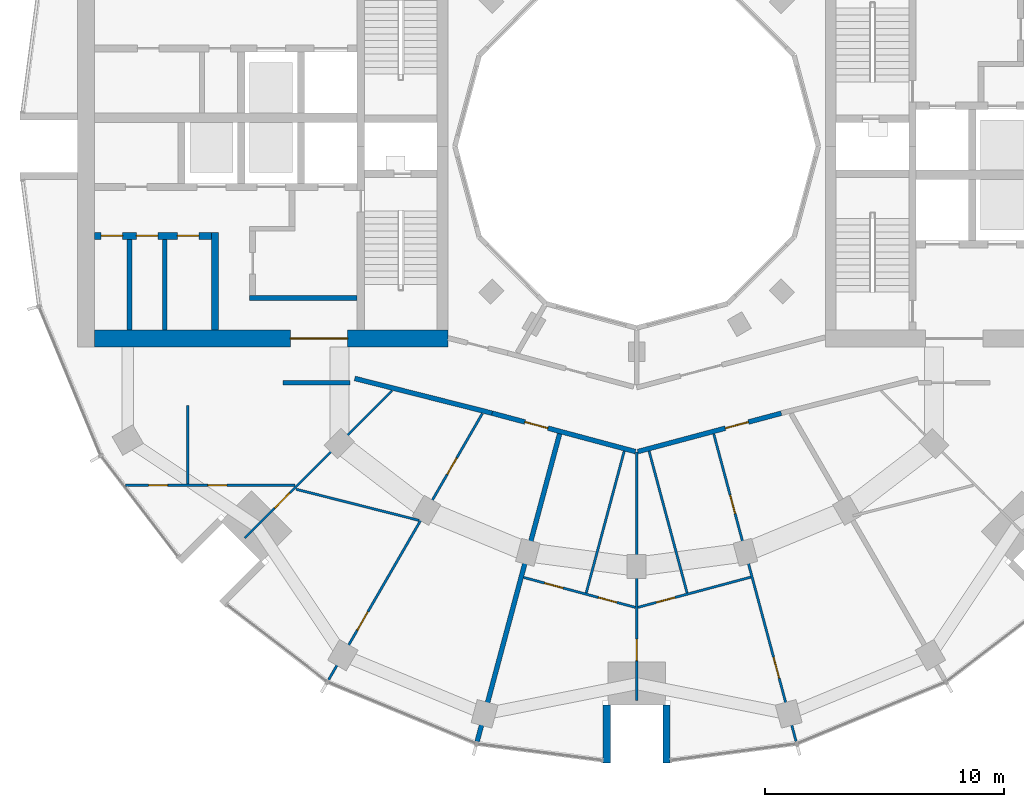
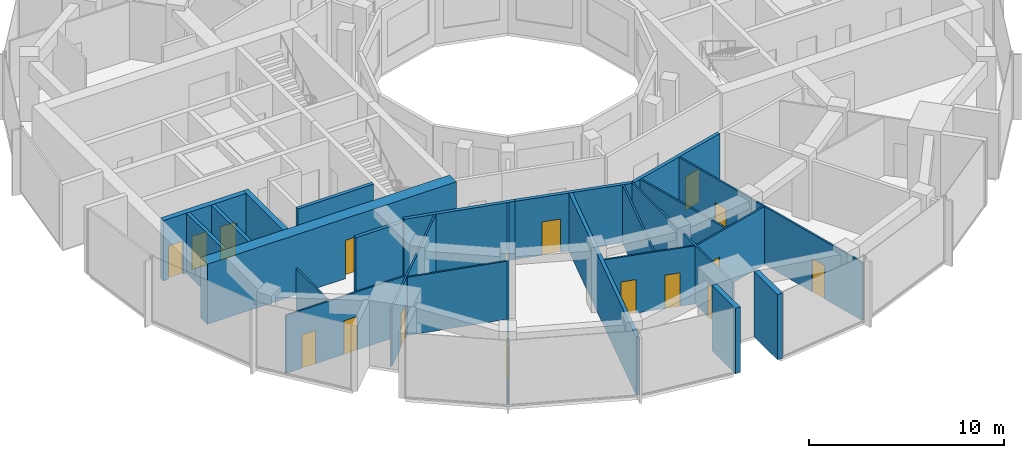
# One storey, part 8 of 15: 24 walls, 17 doors, 17 openings.
"""IFC4 building model written with IfcOpenShell, lengths in metres."""

from ifc_helpers import new_model, si_unit, direction, frame, frame_2d, origin, place, context, subcontext, project, spatial, rectangle, extrude, material, layer, layer_set, type_object, element, fill, save


model = new_model("IFC4")

# Units and contexts
model_context = context("Model", 3, precision=1e-05, world=origin(), true_north=direction((0.0, 1.0)))
body_context = subcontext(model_context, "Body", "Model", "MODEL_VIEW")
ifc_project = project(units=[si_unit("LENGTHUNIT", "METRE"), si_unit("AREAUNIT", "SQUARE_METRE"), si_unit("VOLUMEUNIT", "CUBIC_METRE"), si_unit("PLANEANGLEUNIT", "RADIAN"), si_unit("MASSUNIT", "GRAM", prefix="KILO")], contexts=[model_context])

# Site, building, storey
site_placement = place(None, origin())
site = spatial("IfcSite", under=ifc_project, at=site_placement, CompositionType="ELEMENT")
building_placement = place(site_placement, origin())
building = spatial("IfcBuilding", under=site, at=building_placement, Name="Torre Brocal", CompositionType="ELEMENT")
storey_placement = place(building_placement, frame((0.0, 0.0, 194.60009765625)))
storey = spatial("IfcBuildingStorey", under=building, at=storey_placement, Name="L45", CompositionType="ELEMENT", Elevation=194.60009765625)

# Walls
ifc_material_1 = material(Name="Masonry block", Category="masonry")
ifc_layer_1 = layer(ifc_material_1, 0.199951171875)
ifc_layer_set_1 = layer_set([ifc_layer_1], Name="Masonry block")
wall_type_1 = type_object("IfcWallType", Name="CORE PARTITION 200", PredefinedType="PARTITIONING", material=ifc_layer_set_1)
for number, where, z_axis, x_axis, name in (
    (1, (60.239990234375, 71.10009765625, 0.0), (0.0, 0.0, 1.0), (0.0, -1.0, 0.0), "Wall CP200"),
    (2, (58.77001953125, 71.10009765625, 0.0), (0.0, 0.0, 1.0), (0.0, -1.0, 0.0), "Wall CP200"),
):
    element("IfcWall", number, at=place(storey_placement, frame(where, z_axis=z_axis, x_axis=x_axis)), inside=storey, type_object=wall_type_1, Name=name, PredefinedType="PARTITIONING", context=body_context, shape_type="SweptSolid", body=[
        extrude(rectangle(XDim=3.800048828125, YDim=0.199951171875, at=frame_2d((1.89990234375, 0.0))), origin(), (0.0, 0.0, 1.0), 3.77978515625),
    ])
ifc_material_2 = material(Name="Concrete C70", Category="concrete")
ifc_layer_2 = layer(ifc_material_2, 0.199951171875)
ifc_layer_set_2 = layer_set([ifc_layer_2], Name="Concrete C70")
wall_type_2 = type_object("IfcWallType", Name="CORE WALL 200 C70", PredefinedType="SHEAR", material=ifc_layer_set_2)
wall_1_placement = place(storey_placement, frame((68.300048828125, 68.64990234375, 0.0), z_axis=(0.0, 0.0, 1.0), x_axis=(-1.0, 0.0, 0.0)))
element("IfcWall", 3, at=wall_1_placement, inside=storey, type_object=wall_type_2, Name="Wall CW200-70", PredefinedType="SHEAR", context=body_context, shape_type="SweptSolid", body=[
    extrude(rectangle(XDim=4.5, YDim=0.199951171875, at=frame_2d((2.25, 0.0))), origin(), (0.0, 0.0, 1.0), 3.77978515625),
])
ifc_material_3 = material(Name="Concrete C70", Category="concrete")
ifc_layer_3 = layer(ifc_material_3, 0.300048828125)
ifc_layer_set_3 = layer_set([ifc_layer_3], Name="Concrete C70")
wall_type_3 = type_object("IfcWallType", Name="CORE WALL 300 C70", PredefinedType="SHEAR", material=ifc_layer_set_3)
wall_2_placement = place(storey_placement, frame((62.35009765625, 71.39990234375, 0.0), z_axis=(0.0, 0.0, 1.0), x_axis=(0.0, -1.0, 0.0)))
element("IfcWall", 4, at=wall_2_placement, inside=storey, type_object=wall_type_3, Name="Wall CW300-70", PredefinedType="SHEAR", context=body_context, shape_type="SweptSolid", body=[
    extrude(rectangle(XDim=4.099853515625, YDim=0.300048828125, at=frame_2d((2.0498046875, 0.0))), origin(), (0.0, 0.0, 1.0), 3.77978515625),
])

# Wall, openings, doors
wall_3_placement = place(storey_placement, frame((62.199951171875, 71.25, 0.0), z_axis=(0.0, 0.0, 1.0), x_axis=(-1.0, 0.0, 0.0)))
wall_3 = element("IfcWall", 5, at=wall_3_placement, inside=storey, type_object=wall_type_3, Name="Wall CW300-70", PredefinedType="SHEAR", context=body_context, shape_type="SweptSolid", body=[
    extrude(rectangle(XDim=4.89990234375, YDim=0.300048828125, at=frame_2d((2.449951171875, 0.0))), origin(), (0.0, 0.0, 1.0), 3.77978515625),
])
opening_1_placement = place(wall_3_placement, frame((0.530029296875, 0.0, 0.0)))
opening_1 = element("IfcOpeningElement", 6, at=opening_1_placement, cuts=wall_3, Name="Opening W-D28", PredefinedType="OPENING", context=body_context, shape_type="SweptSolid", body=[
    extrude(rectangle(XDim=0.89990234375, YDim=2.10009765625, at=frame_2d((0.449951171875, 1.050048828125))), frame((0.0, 0.159912109375, 0.0), z_axis=(0.0, -1.0, 0.0), x_axis=(1.0, 0.0, 0.0)), (0.0, 0.0, 1.0), 0.320068359375),
])
opening_2_placement = place(wall_3_placement, frame((2.2451171875, 0.0, 0.0)))
opening_2 = element("IfcOpeningElement", 7, at=opening_2_placement, cuts=wall_3, Name="Opening W-D09", PredefinedType="OPENING", context=body_context, shape_type="SweptSolid", body=[
    extrude(rectangle(XDim=0.89990234375, YDim=2.10009765625, at=frame_2d((0.449951171875, 1.050048828125))), frame((0.0, 0.159912109375, 0.0), z_axis=(0.0, -1.0, 0.0), x_axis=(1.0, 0.0, 0.0)), (0.0, 0.0, 1.0), 0.320068359375),
])
opening_3_placement = place(wall_3_placement, frame((3.715087890625, 0.0, 0.0)))
opening_3 = element("IfcOpeningElement", 8, at=opening_3_placement, cuts=wall_3, Name="Opening W-D10", PredefinedType="OPENING", context=body_context, shape_type="SweptSolid", body=[
    extrude(rectangle(XDim=0.89990234375, YDim=2.10009765625, at=frame_2d((0.449951171875, 1.050048828125))), frame((0.0, 0.159912109375, 0.0), z_axis=(0.0, -1.0, 0.0), x_axis=(1.0, 0.0, 0.0)), (0.0, 0.0, 1.0), 0.320068359375),
])
ifc_material_4 = material(Name="Steel A653", Category="steel")
door_type_1 = type_object("IfcDoorType", Name="ROOM DOOR FD30S 900X2100", OperationType="SINGLE_SWING_LEFT", PredefinedType="DOOR", material=ifc_material_4)
door_1_placement = place(opening_1_placement, origin())
door_1 = element("IfcDoor", 9, at=door_1_placement, inside=storey, type_object=door_type_1, Name="Door W-D28", OperationType="SINGLE_SWING_RIGHT", OverallHeight=2.10009765625, OverallWidth=0.89990234375, PredefinedType="DOOR", context=body_context, shape_type="SweptSolid", body=[
    extrude(rectangle(XDim=0.89990234375, YDim=2.10009765625, at=frame_2d((0.449951171875, 1.050048828125))), frame((0.0, 0.02490234375, 0.0), z_axis=(0.0, -1.0, 0.0), x_axis=(1.0, 0.0, 0.0)), (0.0, 0.0, 1.0), 0.050048828125),
])
fill(opening_1, door_1)
door_2_placement = place(opening_2_placement, origin())
door_2 = element("IfcDoor", 10, at=door_2_placement, inside=storey, type_object=door_type_1, Name="Door W-D09", OperationType="SINGLE_SWING_LEFT", OverallHeight=2.10009765625, OverallWidth=0.89990234375, PredefinedType="DOOR", context=body_context, shape_type="SweptSolid", body=[
    extrude(rectangle(XDim=0.89990234375, YDim=2.10009765625, at=frame_2d((0.449951171875, 1.050048828125))), frame((0.0, 0.02490234375, 0.0), z_axis=(0.0, -1.0, 0.0), x_axis=(1.0, 0.0, 0.0)), (0.0, 0.0, 1.0), 0.050048828125),
])
fill(opening_2, door_2)
door_3_placement = place(opening_3_placement, origin())
door_3 = element("IfcDoor", 11, at=door_3_placement, inside=storey, type_object=door_type_1, Name="Door W-D10", OperationType="SINGLE_SWING_LEFT", OverallHeight=2.10009765625, OverallWidth=0.89990234375, PredefinedType="DOOR", context=body_context, shape_type="SweptSolid", body=[
    extrude(rectangle(XDim=0.89990234375, YDim=2.10009765625, at=frame_2d((0.449951171875, 1.050048828125))), frame((0.0, 0.02490234375, 0.0), z_axis=(0.0, -1.0, 0.0), x_axis=(1.0, 0.0, 0.0)), (0.0, 0.0, 1.0), 0.050048828125),
])
fill(opening_3, door_3)

# Wall, opening, door
ifc_material_5 = material(Name="Concrete C70", Category="concrete")
ifc_layer_4 = layer(ifc_material_5, 0.699951171875)
ifc_layer_set_4 = layer_set([ifc_layer_4], Name="Concrete C70")
wall_type_4 = type_object("IfcWallType", Name="CORE WALL 700 C70", PredefinedType="SHEAR", material=ifc_layer_set_4)
wall_4_placement = place(storey_placement, frame((72.10009765625, 66.949951171875, 0.0), z_axis=(0.0, 0.0, 1.0), x_axis=(-1.0, 0.0, 0.0)))
wall_4 = element("IfcWall", 12, at=wall_4_placement, inside=storey, type_object=wall_type_4, Name="Wall CW700-70", PredefinedType="SHEAR", context=body_context, shape_type="SweptSolid", body=[
    extrude(rectangle(XDim=14.800048828125, YDim=0.699951171875, at=frame_2d((7.39990234375, 0.0))), origin(), (0.0, 0.0, 1.0), 3.77978515625),
])
opening_4_placement = place(wall_4_placement, frame((4.199951171875, 0.0, 0.0)))
opening_4 = element("IfcOpeningElement", 13, at=opening_4_placement, cuts=wall_4, Name="Opening W-D34", PredefinedType="OPENING", context=body_context, shape_type="SweptSolid", body=[
    extrude(rectangle(XDim=2.39990234375, YDim=2.39990234375, at=frame_2d((1.199951171875, 1.199951171875))), frame((0.0, 0.35986328125, 0.0), z_axis=(0.0, -1.0, 0.0), x_axis=(1.0, 0.0, 0.0)), (0.0, 0.0, 1.0), 0.719970703125),
])
ifc_material_6 = material(Name="Steel A653", Category="steel")
door_type_2 = type_object("IfcDoorType", Name="DOUBLE FIRE DOOR FD90 2400X2400", OperationType="DOUBLE_DOOR_SINGLE_SWING", PredefinedType="DOOR", material=ifc_material_6)
door_4_placement = place(opening_4_placement, frame((2.39990234375, 0.0, 0.0), z_axis=(0.0, 0.0, 1.0), x_axis=(-1.0, 0.0, 0.0)))
door_4 = element("IfcDoor", 14, at=door_4_placement, inside=storey, type_object=door_type_2, Name="Door W-D34", OperationType="DOUBLE_DOOR_SINGLE_SWING", OverallHeight=2.39990234375, OverallWidth=2.39990234375, PredefinedType="DOOR", context=body_context, shape_type="SweptSolid", body=[
    extrude(rectangle(XDim=2.39990234375, YDim=2.39990234375, at=frame_2d((1.199951171875, 1.199951171875))), frame((0.0, 0.02490234375, 0.0), z_axis=(0.0, -1.0, 0.0), x_axis=(1.0, 0.0, 0.0)), (0.0, 0.0, 1.0), 0.050048828125),
])
fill(opening_4, door_4)

# Walls
ifc_material_7 = material(Name="Concrete C70", Category="concrete")
ifc_layer_5 = layer(ifc_material_7, 0.300048828125)
ifc_layer_set_5 = layer_set([ifc_layer_5], Name="Concrete C70")
wall_type_5 = type_object("IfcWallType", Name="NOTCH RETURN WALL 300 C70", PredefinedType="NOTDEFINED", material=ifc_layer_set_5)
for number, where, z_axis, x_axis, name in (
    (15, (78.75, 51.60009765625, 0.0), (0.0, 0.0, 1.0), (0.0, -1.0, 0.0), "NOTCH RETURN WALL"),
    (16, (81.25, 51.60009765625, 0.0), (0.0, 0.0, 1.0), (0.0, -1.0, 0.0), "NOTCH RETURN WALL"),
):
    element("IfcWall", number, at=place(storey_placement, frame(where, z_axis=z_axis, x_axis=x_axis)), inside=storey, type_object=wall_type_5, Name=name, PredefinedType="NOTDEFINED", context=body_context, shape_type="SweptSolid", body=[
        extrude(rectangle(XDim=2.415771484375, YDim=0.300048828125, at=frame_2d((1.2080078125, 0.0))), origin(), (0.0, 0.0, 1.0), 4.099853515625),
    ])

# Wall, openings, doors
ifc_material_8 = material(Name="Gypsum board", Category="Gypsum")
ifc_layer_6 = layer(ifc_material_8, 0.10009765625)
ifc_layer_set_6 = layer_set([ifc_layer_6], Name="Gypsum board")
wall_type_6 = type_object("IfcWallType", Name="PARTITION 100", PredefinedType="PARTITIONING", material=ifc_layer_set_6)
wall_5_placement = place(storey_placement, frame((58.60009765625, 60.81201171875, 0.0), z_axis=(0.0, 0.0, 1.0), x_axis=(1.0, 0.0, 0.0)))
wall_5 = element("IfcWall", 17, at=wall_5_placement, inside=storey, type_object=wall_type_6, Name="BATHROOM WALL", PredefinedType="PARTITIONING", context=body_context, shape_type="SweptSolid", body=[
    extrude(rectangle(XDim=7.091796875, YDim=0.10009765625, at=frame_2d((3.5458984375, 0.0))), origin(), (0.0, 0.0, 1.0), 3.64990234375),
])
opening_5_placement = place(wall_5_placement, frame((3.446044921875, 0.0, 0.0)))
opening_5 = element("IfcOpeningElement", 18, at=opening_5_placement, cuts=wall_5, Name="Opening R04-D35", PredefinedType="OPENING", context=body_context, shape_type="SweptSolid", body=[
    extrude(rectangle(XDim=0.800048828125, YDim=2.10009765625, at=frame_2d((0.39990234375, 1.050048828125))), frame((0.0, 0.06005859375, 0.0), z_axis=(0.0, -1.0, 0.0), x_axis=(1.0, 0.0, 0.0)), (0.0, 0.0, 1.0), 0.1201171875),
])
opening_6_placement = place(wall_5_placement, frame((0.965087890625, 0.0, 0.0)))
opening_6 = element("IfcOpeningElement", 19, at=opening_6_placement, cuts=wall_5, Name="Opening R04-D36", PredefinedType="OPENING", context=body_context, shape_type="SweptSolid", body=[
    extrude(rectangle(XDim=0.800048828125, YDim=2.10009765625, at=frame_2d((0.39990234375, 1.050048828125))), frame((0.0, 0.06005859375, 0.0), z_axis=(0.0, -1.0, 0.0), x_axis=(1.0, 0.0, 0.0)), (0.0, 0.0, 1.0), 0.1201171875),
])
ifc_material_9 = material(Name="Timber", Category="wood")
door_type_3 = type_object("IfcDoorType", Name="BATHROOM DOOR 800X2100", OperationType="SINGLE_SWING_LEFT", PredefinedType="DOOR", material=ifc_material_9)
door_5_placement = place(opening_5_placement, origin())
door_5 = element("IfcDoor", 20, at=door_5_placement, inside=storey, type_object=door_type_3, Name="R04-D35", OperationType="SINGLE_SWING_LEFT", OverallHeight=2.10009765625, OverallWidth=0.800048828125, PredefinedType="DOOR", context=body_context, shape_type="SweptSolid", body=[
    extrude(rectangle(XDim=0.800048828125, YDim=2.10009765625, at=frame_2d((0.39990234375, 1.050048828125))), frame((0.0, 0.02490234375, 0.0), z_axis=(0.0, -1.0, 0.0), x_axis=(1.0, 0.0, 0.0)), (0.0, 0.0, 1.0), 0.050048828125),
])
fill(opening_5, door_5)
door_6_placement = place(opening_6_placement, frame((0.800048828125, 0.0, 0.0), z_axis=(0.0, 0.0, 1.0), x_axis=(-1.0, 0.0, 0.0)))
door_6 = element("IfcDoor", 21, at=door_6_placement, inside=storey, type_object=door_type_3, Name="R04-D36", OperationType="SINGLE_SWING_RIGHT", OverallHeight=2.10009765625, OverallWidth=0.800048828125, PredefinedType="DOOR", context=body_context, shape_type="SweptSolid", body=[
    extrude(rectangle(XDim=0.800048828125, YDim=2.10009765625, at=frame_2d((0.39990234375, 1.050048828125))), frame((0.0, 0.02490234375, 0.0), z_axis=(0.0, -1.0, 0.0), x_axis=(1.0, 0.0, 0.0)), (0.0, 0.0, 1.0), 0.050048828125),
])
fill(opening_6, door_6)

# Wall
wall_6_placement = place(storey_placement, frame((61.199951171875, 60.862060546875, 0.0), z_axis=(0.0, 0.0, 1.0), x_axis=(0.0, 1.0, 0.0)))
element("IfcWall", 22, at=wall_6_placement, inside=storey, type_object=wall_type_6, Name="BATHROOM WALL", PredefinedType="PARTITIONING", context=body_context, shape_type="SweptSolid", body=[
    extrude(rectangle(XDim=3.282958984375, YDim=0.10009765625, at=frame_2d((1.6416015625, 0.0))), origin(), (0.0, 0.0, 1.0), 3.64990234375),
])

# Wall, opening, door
wall_7_placement = place(storey_placement, frame((63.591552734375, 58.599609375, 0.0), z_axis=(0.0, 0.0, 1.0), x_axis=(0.707260766325, 0.706952762508, 0.0)))
wall_7 = element("IfcWall", 23, at=wall_7_placement, inside=storey, type_object=wall_type_6, Name="BATHROOM WALL", PredefinedType="PARTITIONING", context=body_context, shape_type="SweptSolid", body=[
    extrude(rectangle(XDim=8.71923828125, YDim=0.10009765625, at=frame_2d((4.359619140625, 0.0))), origin(), (0.0, 0.0, 1.0), 3.64990234375),
])
opening_7_placement = place(wall_7_placement, frame((1.772216796875, 0.0, 0.0)))
opening_7 = element("IfcOpeningElement", 24, at=opening_7_placement, cuts=wall_7, Name="Opening R04-D34", PredefinedType="OPENING", context=body_context, shape_type="SweptSolid", body=[
    extrude(rectangle(XDim=0.89990234375, YDim=2.10009765625, at=frame_2d((0.449951171875, 1.050048828125))), frame((0.0, 0.06005859375, 0.0), z_axis=(0.0, -1.0, 0.0), x_axis=(1.0, 0.0, 0.0)), (0.0, 0.0, 1.0), 0.1201171875),
])
ifc_material_10 = material(Name="Timber", Category="wood")
door_type_4 = type_object("IfcDoorType", Name="ROOM DOOR 900X2100", OperationType="SINGLE_SWING_LEFT", PredefinedType="DOOR", material=ifc_material_10)
door_7_placement = place(opening_7_placement, origin())
door_7 = element("IfcDoor", 25, at=door_7_placement, inside=storey, type_object=door_type_4, Name="R04-D34", OperationType="SINGLE_SWING_LEFT", OverallHeight=2.10009765625, OverallWidth=0.89990234375, PredefinedType="DOOR", context=body_context, shape_type="SweptSolid", body=[
    extrude(rectangle(XDim=0.89990234375, YDim=2.10009765625, at=frame_2d((0.449951171875, 1.050048828125))), frame((0.0, 0.02490234375, 0.0), z_axis=(0.0, -1.0, 0.0), x_axis=(1.0, 0.0, 0.0)), (0.0, 0.0, 1.0), 0.050048828125),
])
fill(opening_7, door_7)

# Wall
wall_8_placement = place(storey_placement, frame((65.739501953125, 60.642333984375, 0.0), z_axis=(0.0, 0.0, 1.0), x_axis=(0.969435742918, -0.245345349156, 0.0)))
element("IfcWall", 26, at=wall_8_placement, inside=storey, type_object=wall_type_6, Name="BATHROOM WALL", PredefinedType="PARTITIONING", context=body_context, shape_type="SweptSolid", body=[
    extrude(rectangle(XDim=5.313720703125, YDim=0.10009765625, at=frame_2d((2.65673828125, 0.0))), origin(), (0.0, 0.0, 1.0), 3.64990234375),
])

# Wall, openings, doors
wall_9_placement = place(storey_placement, frame((67.100830078125, 52.65869140625, 0.0), z_axis=(0.0, 0.0, 1.0), x_axis=(0.500035926033, 0.866004660886, 0.0)))
wall_9 = element("IfcWall", 27, at=wall_9_placement, inside=storey, type_object=wall_type_6, Name="BATHROOM WALL", PredefinedType="PARTITIONING", context=body_context, shape_type="SweptSolid", body=[
    extrude(rectangle(XDim=12.87646484375, YDim=0.10009765625, at=frame_2d((6.438232421875, 0.0))), origin(), (0.0, 0.0, 1.0), 3.64990234375),
])
opening_8_placement = place(wall_9_placement, frame((2.40087890625, 0.0, 0.0)))
opening_8 = element("IfcOpeningElement", 28, at=opening_8_placement, cuts=wall_9, Name="Opening R04-D32", PredefinedType="OPENING", context=body_context, shape_type="SweptSolid", body=[
    extrude(rectangle(XDim=0.89990234375, YDim=2.10009765625, at=frame_2d((0.449951171875, 1.050048828125))), frame((0.0, 0.06005859375, 0.0), z_axis=(0.0, -1.0, 0.0), x_axis=(1.0, 0.0, 0.0)), (0.0, 0.0, 1.0), 0.1201171875),
])
opening_9_placement = place(wall_9_placement, frame((9.93603515625, 0.0, 0.0)))
opening_9 = element("IfcOpeningElement", 29, at=opening_9_placement, cuts=wall_9, Name="Opening R04-D33", PredefinedType="OPENING", context=body_context, shape_type="SweptSolid", body=[
    extrude(rectangle(XDim=0.800048828125, YDim=2.10009765625, at=frame_2d((0.39990234375, 1.050048828125))), frame((0.0, 0.06005859375, 0.0), z_axis=(0.0, -1.0, 0.0), x_axis=(1.0, 0.0, 0.0)), (0.0, 0.0, 1.0), 0.1201171875),
])
door_8_placement = place(opening_9_placement, origin())
door_8 = element("IfcDoor", 30, at=door_8_placement, inside=storey, type_object=door_type_3, Name="R04-D33", OperationType="SINGLE_SWING_RIGHT", OverallHeight=2.10009765625, OverallWidth=0.800048828125, PredefinedType="DOOR", context=body_context, shape_type="SweptSolid", body=[
    extrude(rectangle(XDim=0.800048828125, YDim=2.10009765625, at=frame_2d((0.39990234375, 1.050048828125))), frame((0.0, 0.02490234375, 0.0), z_axis=(0.0, -1.0, 0.0), x_axis=(1.0, 0.0, 0.0)), (0.0, 0.0, 1.0), 0.050048828125),
])
fill(opening_9, door_8)
door_9_placement = place(opening_8_placement, origin())
door_9 = element("IfcDoor", 31, at=door_9_placement, inside=storey, type_object=door_type_4, Name="R04-D32", OperationType="SINGLE_SWING_LEFT", OverallHeight=2.10009765625, OverallWidth=0.89990234375, PredefinedType="DOOR", context=body_context, shape_type="SweptSolid", body=[
    extrude(rectangle(XDim=0.89990234375, YDim=2.10009765625, at=frame_2d((0.449951171875, 1.050048828125))), frame((0.0, 0.02490234375, 0.0), z_axis=(0.0, -1.0, 0.0), x_axis=(1.0, 0.0, 0.0)), (0.0, 0.0, 1.0), 0.050048828125),
])
fill(opening_8, door_9)

wall_10_placement = place(storey_placement, frame((75.266845703125, 56.9501953125, 0.0), z_axis=(0.0, 0.0, 1.0), x_axis=(0.965900084933, -0.25891509405, 0.0)))
wall_10 = element("IfcWall", 32, at=wall_10_placement, inside=storey, type_object=wall_type_6, Name="BATHROOM WALL", PredefinedType="PARTITIONING", context=body_context, shape_type="SweptSolid", body=[
    extrude(rectangle(XDim=4.840087890625, YDim=0.10009765625, at=frame_2d((2.419921875, 0.0))), origin(), (0.0, 0.0, 1.0), 3.64990234375),
])
opening_10_placement = place(wall_10_placement, frame((0.909912109375, 0.0, 0.0)))
opening_10 = element("IfcOpeningElement", 33, at=opening_10_placement, cuts=wall_10, Name="Opening R04-D29", PredefinedType="OPENING", context=body_context, shape_type="SweptSolid", body=[
    extrude(rectangle(XDim=0.800048828125, YDim=2.10009765625, at=frame_2d((0.39990234375, 1.050048828125))), frame((0.0, 0.06005859375, 0.0), z_axis=(0.0, -1.0, 0.0), x_axis=(1.0, 0.0, 0.0)), (0.0, 0.0, 1.0), 0.1201171875),
])
opening_11_placement = place(wall_10_placement, frame((3.240478515625, 0.0, 0.0)))
opening_11 = element("IfcOpeningElement", 34, at=opening_11_placement, cuts=wall_10, Name="Opening R04-D30", PredefinedType="OPENING", context=body_context, shape_type="SweptSolid", body=[
    extrude(rectangle(XDim=0.800048828125, YDim=2.10009765625, at=frame_2d((0.39990234375, 1.050048828125))), frame((0.0, 0.06005859375, 0.0), z_axis=(0.0, -1.0, 0.0), x_axis=(1.0, 0.0, 0.0)), (0.0, 0.0, 1.0), 0.1201171875),
])
door_10_placement = place(opening_10_placement, origin())
door_10 = element("IfcDoor", 35, at=door_10_placement, inside=storey, type_object=door_type_3, Name="R04-D29", OperationType="SINGLE_SWING_LEFT", OverallHeight=2.10009765625, OverallWidth=0.800048828125, PredefinedType="DOOR", context=body_context, shape_type="SweptSolid", body=[
    extrude(rectangle(XDim=0.800048828125, YDim=2.10009765625, at=frame_2d((0.39990234375, 1.050048828125))), frame((0.0, 0.02490234375, 0.0), z_axis=(0.0, -1.0, 0.0), x_axis=(1.0, 0.0, 0.0)), (0.0, 0.0, 1.0), 0.050048828125),
])
fill(opening_10, door_10)
door_11_placement = place(opening_11_placement, frame((0.800048828125, 0.0, 0.0), z_axis=(0.0, 0.0, 1.0), x_axis=(-1.0, 0.0, 0.0)))
door_11 = element("IfcDoor", 36, at=door_11_placement, inside=storey, type_object=door_type_3, Name="R04-D30", OperationType="SINGLE_SWING_LEFT", OverallHeight=2.10009765625, OverallWidth=0.800048828125, PredefinedType="DOOR", context=body_context, shape_type="SweptSolid", body=[
    extrude(rectangle(XDim=0.800048828125, YDim=2.10009765625, at=frame_2d((0.39990234375, 1.050048828125))), frame((0.0, 0.02490234375, 0.0), z_axis=(0.0, -1.0, 0.0), x_axis=(1.0, 0.0, 0.0)), (0.0, 0.0, 1.0), 0.050048828125),
])
fill(opening_11, door_11)

# Wall
wall_11_placement = place(storey_placement, frame((77.887939453125, 56.299560546875, 0.0), z_axis=(0.0, 0.0, 1.0), x_axis=(0.258885575383, 0.965907997098, 0.0)))
element("IfcWall", 37, at=wall_11_placement, inside=storey, type_object=wall_type_6, Name="BATHROOM WALL", PredefinedType="PARTITIONING", context=body_context, shape_type="SweptSolid", body=[
    extrude(rectangle(XDim=6.149658203125, YDim=0.10009765625, at=frame_2d((3.07470703125, 0.0))), origin(), (0.0, 0.0, 1.0), 3.64990234375),
])

# Wall, opening, door
wall_12_placement = place(storey_placement, frame((80.0, 51.800048828125, 0.0), z_axis=(0.0, 0.0, 1.0), x_axis=(0.0, 1.0, 0.0)))
wall_12 = element("IfcWall", 38, at=wall_12_placement, inside=storey, type_object=wall_type_6, Name="BATHROOM WALL", PredefinedType="PARTITIONING", context=body_context, shape_type="SweptSolid", body=[
    extrude(rectangle(XDim=10.404052734375, YDim=0.10009765625, at=frame_2d((5.2021484375, 0.0))), origin(), (0.0, 0.0, 1.0), 3.64990234375),
])
opening_12_placement = place(wall_12_placement, frame((1.666015625, 0.0, 0.0)))
opening_12 = element("IfcOpeningElement", 39, at=opening_12_placement, cuts=wall_12, Name="Opening R04-D28", PredefinedType="OPENING", context=body_context, shape_type="SweptSolid", body=[
    extrude(rectangle(XDim=0.89990234375, YDim=2.10009765625, at=frame_2d((0.449951171875, 1.050048828125))), frame((0.0, 0.06005859375, 0.0), z_axis=(0.0, -1.0, 0.0), x_axis=(1.0, 0.0, 0.0)), (0.0, 0.0, 1.0), 0.1201171875),
])
door_12_placement = place(opening_12_placement, origin())
door_12 = element("IfcDoor", 40, at=door_12_placement, inside=storey, type_object=door_type_4, Name="R04-D28", OperationType="SINGLE_SWING_RIGHT", OverallHeight=2.10009765625, OverallWidth=0.89990234375, PredefinedType="DOOR", context=body_context, shape_type="SweptSolid", body=[
    extrude(rectangle(XDim=0.89990234375, YDim=2.10009765625, at=frame_2d((0.449951171875, 1.050048828125))), frame((0.0, 0.02490234375, 0.0), z_axis=(0.0, -1.0, 0.0), x_axis=(1.0, 0.0, 0.0)), (0.0, 0.0, 1.0), 0.050048828125),
])
fill(opening_12, door_12)

wall_13_placement = place(storey_placement, frame((80.057861328125, 55.697509765625, 0.0), z_axis=(0.0, 0.0, 1.0), x_axis=(0.965970105839, 0.258653734992, 0.0)))
wall_13 = element("IfcWall", 41, at=wall_13_placement, inside=storey, type_object=wall_type_6, Name="BATHROOM WALL", PredefinedType="PARTITIONING", context=body_context, shape_type="SweptSolid", body=[
    extrude(rectangle(XDim=4.890380859375, YDim=0.10009765625, at=frame_2d((2.4453125, 0.0))), origin(), (0.0, 0.0, 1.0), 3.64990234375),
])
opening_13_placement = place(wall_13_placement, frame((0.7998046875, 0.0, 0.0)))
opening_13 = element("IfcOpeningElement", 42, at=opening_13_placement, cuts=wall_13, Name="Opening R04-D26", PredefinedType="OPENING", context=body_context, shape_type="SweptSolid", body=[
    extrude(rectangle(XDim=0.800048828125, YDim=2.10009765625, at=frame_2d((0.39990234375, 1.050048828125))), frame((0.0, 0.06005859375, 0.0), z_axis=(0.0, -1.0, 0.0), x_axis=(1.0, 0.0, 0.0)), (0.0, 0.0, 1.0), 0.1201171875),
])
door_13_placement = place(opening_13_placement, origin())
door_13 = element("IfcDoor", 43, at=door_13_placement, inside=storey, type_object=door_type_3, Name="R04-D26", OperationType="SINGLE_SWING_RIGHT", OverallHeight=2.10009765625, OverallWidth=0.800048828125, PredefinedType="DOOR", context=body_context, shape_type="SweptSolid", body=[
    extrude(rectangle(XDim=0.800048828125, YDim=2.10009765625, at=frame_2d((0.39990234375, 1.050048828125))), frame((0.0, 0.02490234375, 0.0), z_axis=(0.0, -1.0, 0.0), x_axis=(1.0, 0.0, 0.0)), (0.0, 0.0, 1.0), 0.050048828125),
])
fill(opening_13, door_13)

# Wall
wall_14_placement = place(storey_placement, frame((80.52001953125, 62.239501953125, 0.0), z_axis=(0.0, 0.0, 1.0), x_axis=(0.258885575383, -0.965907997098, 0.0)))
element("IfcWall", 44, at=wall_14_placement, inside=storey, type_object=wall_type_6, Name="BATHROOM WALL", PredefinedType="PARTITIONING", context=body_context, shape_type="SweptSolid", body=[
    extrude(rectangle(XDim=6.149658203125, YDim=0.10009765625, at=frame_2d((3.07470703125, 0.0))), origin(), (0.0, 0.0, 1.0), 3.64990234375),
])

# Wall, openings, doors
wall_15_placement = place(storey_placement, frame((83.22802734375, 62.954833984375, 0.0), z_axis=(0.0, 0.0, 1.0), x_axis=(0.258737611245, -0.965947642746, 0.0)))
wall_15 = element("IfcWall", 45, at=wall_15_placement, inside=storey, type_object=wall_type_6, Name="BATHROOM WALL", PredefinedType="PARTITIONING", context=body_context, shape_type="SweptSolid", body=[
    extrude(rectangle(XDim=13.328125, YDim=0.10009765625, at=frame_2d((6.6640625, 0.0))), origin(), (0.0, 0.0, 1.0), 3.64990234375),
])
opening_14_placement = place(wall_15_placement, frame((9.68408203125, 0.0, 0.0)))
opening_14 = element("IfcOpeningElement", 46, at=opening_14_placement, cuts=wall_15, Name="Opening R04-D25", PredefinedType="OPENING", context=body_context, shape_type="SweptSolid", body=[
    extrude(rectangle(XDim=0.89990234375, YDim=2.10009765625, at=frame_2d((0.449951171875, 1.050048828125))), frame((0.0, 0.06005859375, 0.0), z_axis=(0.0, -1.0, 0.0), x_axis=(1.0, 0.0, 0.0)), (0.0, 0.0, 1.0), 0.1201171875),
])
opening_15_placement = place(wall_15_placement, frame((2.649658203125, 0.0, 0.0)))
opening_15 = element("IfcOpeningElement", 47, at=opening_15_placement, cuts=wall_15, Name="Opening R04-D27", PredefinedType="OPENING", context=body_context, shape_type="SweptSolid", body=[
    extrude(rectangle(XDim=0.800048828125, YDim=2.10009765625, at=frame_2d((0.39990234375, 1.050048828125))), frame((0.0, 0.06005859375, 0.0), z_axis=(0.0, -1.0, 0.0), x_axis=(1.0, 0.0, 0.0)), (0.0, 0.0, 1.0), 0.1201171875),
])
door_14_placement = place(opening_15_placement, frame((0.800048828125, 0.0, 0.0), z_axis=(0.0, 0.0, 1.0), x_axis=(-1.0, 0.0, 0.0)))
door_14 = element("IfcDoor", 48, at=door_14_placement, inside=storey, type_object=door_type_3, Name="R04-D27", OperationType="SINGLE_SWING_LEFT", OverallHeight=2.10009765625, OverallWidth=0.800048828125, PredefinedType="DOOR", context=body_context, shape_type="SweptSolid", body=[
    extrude(rectangle(XDim=0.800048828125, YDim=2.10009765625, at=frame_2d((0.39990234375, 1.050048828125))), frame((0.0, 0.02490234375, 0.0), z_axis=(0.0, -1.0, 0.0), x_axis=(1.0, 0.0, 0.0)), (0.0, 0.0, 1.0), 0.050048828125),
])
fill(opening_15, door_14)
door_15_placement = place(opening_14_placement, origin())
door_15 = element("IfcDoor", 49, at=door_15_placement, inside=storey, type_object=door_type_4, Name="R04-D25", OperationType="SINGLE_SWING_RIGHT", OverallHeight=2.10009765625, OverallWidth=0.89990234375, PredefinedType="DOOR", context=body_context, shape_type="SweptSolid", body=[
    extrude(rectangle(XDim=0.89990234375, YDim=2.10009765625, at=frame_2d((0.449951171875, 1.050048828125))), frame((0.0, 0.02490234375, 0.0), z_axis=(0.0, -1.0, 0.0), x_axis=(1.0, 0.0, 0.0)), (0.0, 0.0, 1.0), 0.050048828125),
])
fill(opening_14, door_15)

# Walls
ifc_material_11 = material(Name="Gypsum board", Category="Gypsum")
ifc_layer_7 = layer(ifc_material_11, 0.199951171875)
ifc_layer_set_7 = layer_set([ifc_layer_7], Name="Gypsum board")
wall_type_7 = type_object("IfcWallType", Name="PARTITION 200 EI60", PredefinedType="PARTITIONING", material=ifc_layer_set_7)
wall_16_placement = place(storey_placement, frame((65.199951171875, 65.10009765625, 0.0), z_axis=(0.0, 0.0, 1.0), x_axis=(1.0, 0.0, 0.0)))
element("IfcWall", 50, at=wall_16_placement, inside=storey, type_object=wall_type_7, Name="GUESTROOM CORRIDOR WALL", PredefinedType="PARTITIONING", context=body_context, shape_type="SweptSolid", body=[
    extrude(rectangle(XDim=2.800048828125, YDim=0.199951171875, at=frame_2d((1.39990234375, 0.0))), origin(), (0.0, 0.0, 1.0), 3.64990234375),
])
wall_17_placement = place(storey_placement, frame((68.199951171875, 65.280029296875, 0.0), z_axis=(0.0, 0.0, 1.0), x_axis=(0.969450596516, -0.245286650503, 0.0)))
element("IfcWall", 51, at=wall_17_placement, inside=storey, type_object=wall_type_7, Name="FLAT ENTRANCE WALL", PredefinedType="PARTITIONING", context=body_context, shape_type="SweptSolid", body=[
    extrude(rectangle(XDim=5.92822265625, YDim=0.199951171875, at=frame_2d((2.964111328125, 0.0))), origin(), (0.0, 0.0, 1.0), 3.64990234375),
])
wall_18_placement = place(storey_placement, frame((73.322509765625, 50.080810546875, 0.0), z_axis=(0.0, 0.0, 1.0), x_axis=(0.258888262922, 0.965907276772, 0.0)))
element("IfcWall", 52, at=wall_18_placement, inside=storey, type_object=wall_type_7, Name="BATHROOM WALL", PredefinedType="PARTITIONING", context=body_context, shape_type="SweptSolid", body=[
    extrude(rectangle(XDim=13.33837890625, YDim=0.199951171875, at=frame_2d((6.669189453125, 0.0))), origin(), (0.0, 0.0, 1.0), 3.64990234375),
])

# Wall, opening, door
wall_19_placement = place(storey_placement, frame((73.947021484375, 63.825927734375, 0.0), z_axis=(0.0, 0.0, 1.0), x_axis=(0.965908253407, -0.258884619088, 0.0)))
wall_19 = element("IfcWall", 53, at=wall_19_placement, inside=storey, type_object=wall_type_7, Name="FLAT ENTRANCE WALL", PredefinedType="PARTITIONING", context=body_context, shape_type="SweptSolid", body=[
    extrude(rectangle(XDim=6.216552734375, YDim=0.199951171875, at=frame_2d((3.1083984375, 0.0))), origin(), (0.0, 0.0, 1.0), 3.64990234375),
])
opening_16_placement = place(wall_19_placement, frame((1.42431640625, 0.0, 0.0)))
opening_16 = element("IfcOpeningElement", 54, at=opening_16_placement, cuts=wall_19, Name="Opening R04-D31", PredefinedType="OPENING", context=body_context, shape_type="SweptSolid", body=[
    extrude(rectangle(XDim=1.0, YDim=2.10009765625, at=frame_2d((0.5, 1.050048828125))), frame((0.0, 0.10986328125, 0.0), z_axis=(0.0, -1.0, 0.0), x_axis=(1.0, 0.0, 0.0)), (0.0, 0.0, 1.0), 0.219970703125),
])
ifc_material_12 = material(Name="Timber", Category="wood")
door_type_5 = type_object("IfcDoorType", Name="FLAT ENTRY DOOR FD30S 1000X2100", OperationType="SINGLE_SWING_RIGHT", PredefinedType="DOOR", material=ifc_material_12)
door_16_placement = place(opening_16_placement, frame((1.0, 0.0, 0.0), z_axis=(0.0, 0.0, 1.0), x_axis=(-1.0, 0.0, 0.0)))
door_16 = element("IfcDoor", 55, at=door_16_placement, inside=storey, type_object=door_type_5, Name="R04-D31", OperationType="SINGLE_SWING_LEFT", OverallHeight=2.10009765625, OverallWidth=1.0, PredefinedType="DOOR", context=body_context, shape_type="SweptSolid", body=[
    extrude(rectangle(XDim=1.0, YDim=2.10009765625, at=frame_2d((0.5, 1.050048828125))), frame((0.0, 0.02490234375, 0.0), z_axis=(0.0, -1.0, 0.0), x_axis=(1.0, 0.0, 0.0)), (0.0, 0.0, 1.0), 0.050048828125),
])
fill(opening_16, door_16)

wall_20_placement = place(storey_placement, frame((80.048095703125, 62.21728515625, 0.0), z_axis=(0.0, 0.0, 1.0), x_axis=(0.966097920642, 0.258175923996, 0.0)))
wall_20 = element("IfcWall", 56, at=wall_20_placement, inside=storey, type_object=wall_type_7, Name="FLAT ENTRANCE WALL", PredefinedType="PARTITIONING", context=body_context, shape_type="SweptSolid", body=[
    extrude(rectangle(XDim=6.216552734375, YDim=0.199951171875, at=frame_2d((3.1083984375, 0.0))), origin(), (0.0, 0.0, 1.0), 3.64990234375),
])
opening_17_placement = place(wall_20_placement, frame((3.792236328125, 0.0, 0.0)))
opening_17 = element("IfcOpeningElement", 57, at=opening_17_placement, cuts=wall_20, Name="Opening R04-D24", PredefinedType="OPENING", context=body_context, shape_type="SweptSolid", body=[
    extrude(rectangle(XDim=1.0, YDim=2.10009765625, at=frame_2d((0.5, 1.050048828125))), frame((0.0, 0.10986328125, 0.0), z_axis=(0.0, -1.0, 0.0), x_axis=(1.0, 0.0, 0.0)), (0.0, 0.0, 1.0), 0.219970703125),
])
door_17_placement = place(opening_17_placement, frame((1.0, 0.0, 0.0), z_axis=(0.0, 0.0, 1.0), x_axis=(-1.0, 0.0, 0.0)))
door_17 = element("IfcDoor", 58, at=door_17_placement, inside=storey, type_object=door_type_5, Name="R04-D24", OperationType="SINGLE_SWING_RIGHT", OverallHeight=2.10009765625, OverallWidth=1.0, PredefinedType="DOOR", context=body_context, shape_type="SweptSolid", body=[
    extrude(rectangle(XDim=1.0, YDim=2.10009765625, at=frame_2d((0.5, 1.050048828125))), frame((0.0, 0.02490234375, 0.0), z_axis=(0.0, -1.0, 0.0), x_axis=(1.0, 0.0, 0.0)), (0.0, 0.0, 1.0), 0.050048828125),
])
fill(opening_17, door_17)

save(model, "model.ifc")
